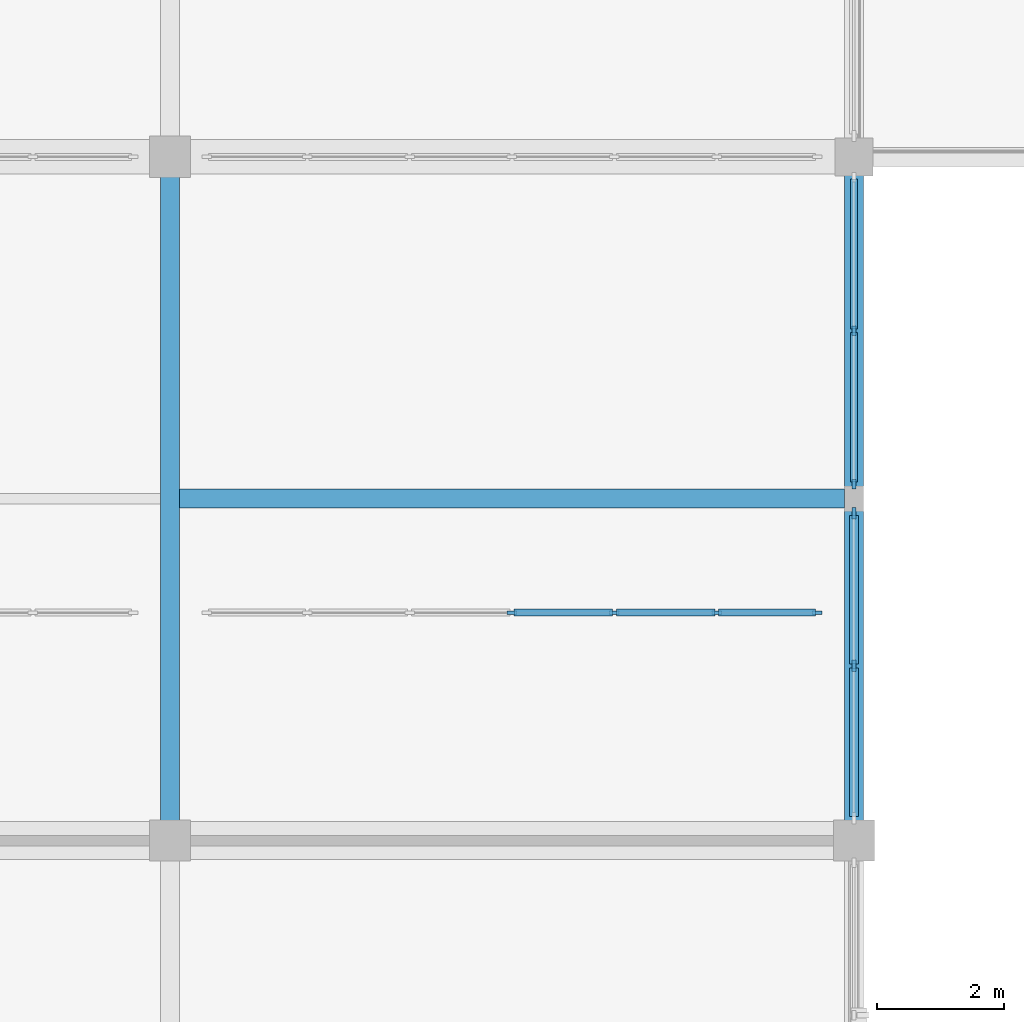
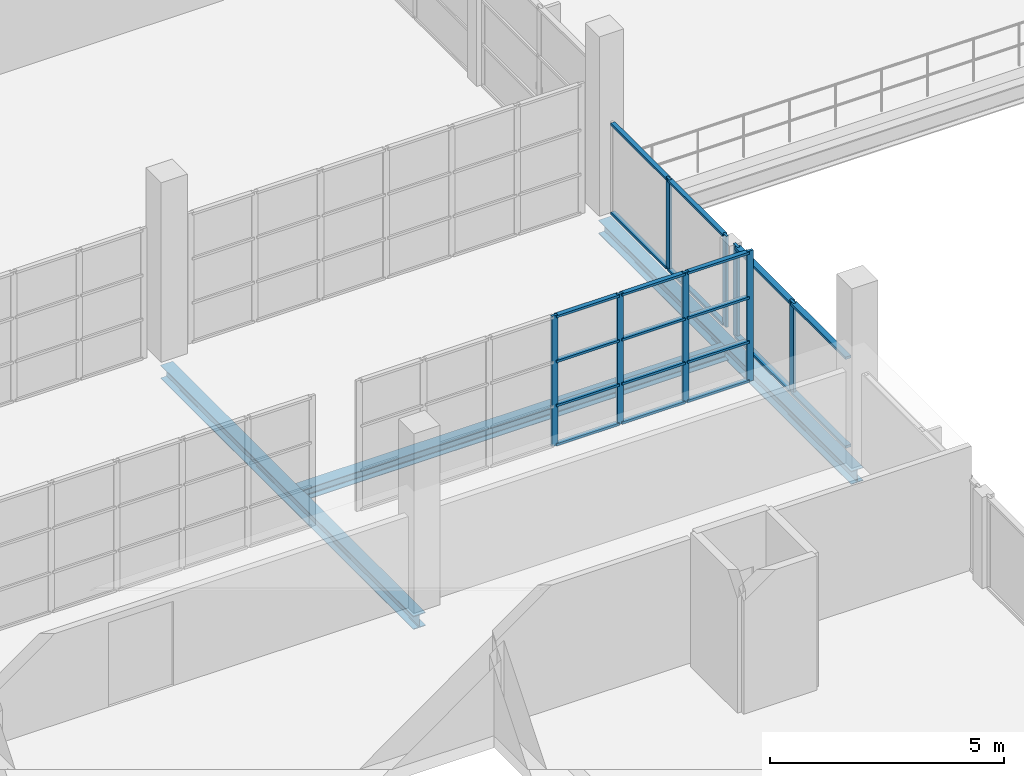
# One storey, part 71 of 142: 28 members, 3 beams, 3 elements without a shape of their own.
"""IFC4 building model written with IfcOpenShell, lengths in metres."""

from ifc_helpers import new_model, si_unit, direction, frame, origin, origin_2d, place, context, subcontext, project, spatial, rectangle, i_section, extrude, material, material_profile, profile_set, type_object, element, aggregate, save


model = new_model("IFC4")

# Units and contexts
model_context = context("Model", 3, precision=1e-05, world=origin(), true_north=direction((0.0, 1.0)))
body_context = subcontext(model_context, "Body", "Model", "MODEL_VIEW")
ifc_project = project(units=[si_unit("LENGTHUNIT", "METRE"), si_unit("AREAUNIT", "SQUARE_METRE"), si_unit("VOLUMEUNIT", "CUBIC_METRE"), si_unit("PLANEANGLEUNIT", "RADIAN"), si_unit("MASSUNIT", "GRAM", prefix="KILO")], contexts=[model_context])

# Site, building, storey
site_placement = place(None, origin())
site = spatial("IfcSite", under=ifc_project, at=site_placement, CompositionType="ELEMENT")
building_placement = place(site_placement, origin())
building = spatial("IfcBuilding", under=site, at=building_placement, Name="Zwinboog Wholesale Market", CompositionType="ELEMENT")
storey_placement = place(building_placement, frame((0.0, 0.0, 5.39990234375)))
storey = spatial("IfcBuildingStorey", under=building, at=storey_placement, Name="L01", CompositionType="ELEMENT", Elevation=5.39990234375)

# Beams
ifc_material_1 = material(Name="Steel S355", Category="steel")
ifc_material_profile_1 = material_profile(ifc_material_1, i_section(OverallWidth=0.300048828125, OverallDepth=0.35009765625, WebThickness=0.010009765625, FlangeThickness=0.017578125, FilletRadius=0.027099609375, at=origin_2d()), Name="HEA 360")
ifc_profile_set_1 = profile_set([ifc_material_profile_1], Name="Steel S355")
beam_type_1 = type_object("IfcBeamType", Name="BT-17", PredefinedType="BEAM", material=ifc_profile_set_1)
for number, where, z_axis, x_axis, name in (
    (1, (162.0, 86.39990234375, -0.5068359375), (0.0, 1.0, 0.0), (-1.0, 0.0, 0.0), "SB-04 (BMG-L01-1620-0864-0741)"),
    (2, (172.800048828125, 86.39990234375, -0.5068359375), (0.0, 1.0, 0.0), (-1.0, 0.0, 0.0), "SB-04 (BMG-L01-1728-0864-0753)"),
):
    element("IfcBeam", number, at=place(storey_placement, frame(where, z_axis=z_axis, x_axis=x_axis)), inside=storey, type_object=beam_type_1, Name=name, PredefinedType="BEAM", context=body_context, shape_type="SweptSolid", body=[
        extrude(i_section(OverallWidth=0.300048828125, OverallDepth=0.35009765625, WebThickness=0.010009765625, FlangeThickness=0.017578125, FilletRadius=0.027099609375, at=origin_2d()), origin(), (0.0, 0.0, 1.0), 10.800048828125),
    ])
ifc_material_profile_2 = material_profile(ifc_material_1, i_section(OverallWidth=0.300048828125, OverallDepth=0.2900390625, WebThickness=0.008544921875, FlangeThickness=0.013916015625, FilletRadius=0.027099609375, at=origin_2d()), Name="HEA 300")
ifc_profile_set_2 = profile_set([ifc_material_profile_2], Name="Steel S355")
beam_type_2 = type_object("IfcBeamType", Name="BT-18", PredefinedType="JOIST", material=ifc_profile_set_2)
beam_placement = place(storey_placement, frame((162.14990234375, 91.800048828125, -0.476806640625), z_axis=(1.0, 0.0, 0.0), x_axis=(0.0, 1.0, 0.0)))
element("IfcBeam", 3, at=beam_placement, inside=storey, type_object=beam_type_2, Name="SJ-01 (BMG-L01-1622-0918-0854)", PredefinedType="JOIST", context=body_context, shape_type="SweptSolid", body=[
    extrude(i_section(OverallWidth=0.300048828125, OverallDepth=0.2900390625, WebThickness=0.008544921875, FlangeThickness=0.013916015625, FilletRadius=0.027099609375, at=origin_2d()), origin(), (0.0, 0.0, 1.0), 10.5),
])

# Curtain wall, members
ifc_material_2 = material(Name="Aluminium thermally broken curtain wall", Category="aluminium")
curtain_wall_type_1 = type_object("IfcCurtainWallType", Name="CWT-STALL-18", PredefinedType="USERDEFINED", material=ifc_material_2)
curtain_wall_1_placement = place(storey_placement, origin())
curtain_wall_1 = element("IfcCurtainWall", 4, at=curtain_wall_1_placement, inside=storey, type_object=curtain_wall_type_1, Name="CW-01 (CW-L01-139)", ObjectType="STOREFRONT_GLAZING", PredefinedType="USERDEFINED")
ifc_material_3 = material(Name="Aluminium EN AW-6060", Category="aluminium")
ifc_material_profile_3 = material_profile(ifc_material_3, rectangle(XDim=0.06494140625, YDim=0.179931640625, at=origin_2d()), Name="AL 65x180")
ifc_profile_set_3 = profile_set([ifc_material_profile_3], Name="Aluminium EN AW-6060")
member_type_1 = type_object("IfcMemberType", Name="CWM-65x180", PredefinedType="MULLION", material=ifc_profile_set_3)
member_1_placement = place(storey_placement, frame((172.800048828125, 89.159912109375, 0.0), z_axis=(0.0, 0.0, 1.0), x_axis=(-1.0, 0.0, 0.0)))
member_1 = element("IfcMember", 5, at=member_1_placement, type_object=member_type_1, Name="CW-01 mullion 2", PredefinedType="MULLION", context=body_context, shape_type="SweptSolid", body=[
    extrude(rectangle(XDim=0.06494140625, YDim=0.179931640625, at=origin_2d()), origin(), (0.0, 0.0, 1.0), 2.380126953125),
])
member_2_placement = place(storey_placement, frame((172.800048828125, 91.5673828125, 0.0), z_axis=(0.0, 0.0, 1.0), x_axis=(-1.0, 0.0, 0.0)))
member_2 = element("IfcMember", 6, at=member_2_placement, type_object=member_type_1, Name="CW-01 mullion 3", PredefinedType="MULLION", context=body_context, shape_type="SweptSolid", body=[
    extrude(rectangle(XDim=0.06494140625, YDim=0.179931640625, at=origin_2d()), origin(), (0.0, 0.0, 1.0), 2.380126953125),
])

curtain_wall_type_2 = type_object("IfcCurtainWallType", Name="CWT-STALL-20", PredefinedType="USERDEFINED", material=ifc_material_2)
curtain_wall_2_placement = place(storey_placement, origin())
curtain_wall_2 = element("IfcCurtainWall", 7, at=curtain_wall_2_placement, inside=storey, type_object=curtain_wall_type_2, Name="CW-02 (CW-L01-140)", ObjectType="STOREFRONT_GLAZING", PredefinedType="USERDEFINED")
ifc_material_profile_4 = material_profile(ifc_material_3, rectangle(XDim=0.06005859375, YDim=0.14990234375, at=origin_2d()), Name="AL 60x150")
ifc_profile_set_4 = profile_set([ifc_material_profile_4], Name="Aluminium EN AW-6060")
member_type_2 = type_object("IfcMemberType", Name="CWM-60x150", PredefinedType="MULLION", material=ifc_profile_set_4)
member_3_placement = place(storey_placement, frame((172.800048828125, 92.030029296875, 0.0), z_axis=(0.0, 0.0, 1.0), x_axis=(-1.0, 0.0, 0.0)))
member_3 = element("IfcMember", 8, at=member_3_placement, type_object=member_type_2, Name="CW-02 mullion 1", PredefinedType="MULLION", context=body_context, shape_type="SweptSolid", body=[
    extrude(rectangle(XDim=0.06005859375, YDim=0.14990234375, at=origin_2d()), origin(), (0.0, 0.0, 1.0), 2.380126953125),
])
member_4_placement = place(storey_placement, frame((172.800048828125, 94.452392578125, 0.0), z_axis=(0.0, 0.0, 1.0), x_axis=(-1.0, 0.0, 0.0)))
member_4 = element("IfcMember", 9, at=member_4_placement, type_object=member_type_2, Name="CW-02 mullion 2", PredefinedType="MULLION", context=body_context, shape_type="SweptSolid", body=[
    extrude(rectangle(XDim=0.06005859375, YDim=0.14990234375, at=origin_2d()), origin(), (0.0, 0.0, 1.0), 2.380126953125),
])

# Member
ifc_material_profile_5 = material_profile(ifc_material_3, rectangle(XDim=0.139892578125, YDim=0.06494140625, at=origin_2d()), Name="AL 65x140")
ifc_profile_set_5 = profile_set([ifc_material_profile_5], Name="Aluminium EN AW-6060")
member_type_3 = type_object("IfcMemberType", Name="CWT-65x140", PredefinedType="USERDEFINED", material=ifc_profile_set_5)
member_5_placement = place(storey_placement, frame((172.800048828125, 86.784912109375, 0.03271484375), z_axis=(0.0, 1.0, 0.0), x_axis=(-1.0, 0.0, 0.0)))
member_5 = element("IfcMember", 10, at=member_5_placement, type_object=member_type_3, Name="CW-01 transom 1.1", ObjectType="TRANSOM", PredefinedType="USERDEFINED", context=body_context, shape_type="SweptSolid", body=[
    extrude(rectangle(XDim=0.139892578125, YDim=0.06494140625, at=origin_2d()), origin(), (0.0, 0.0, 1.0), 2.342529296875),
])

member_6_placement = place(storey_placement, frame((172.800048828125, 86.784912109375, 2.34765625), z_axis=(0.0, 1.0, 0.0), x_axis=(-1.0, 0.0, 0.0)))
member_6 = element("IfcMember", 11, at=member_6_placement, type_object=member_type_3, Name="CW-01 transom 1.2", ObjectType="TRANSOM", PredefinedType="USERDEFINED", context=body_context, shape_type="SweptSolid", body=[
    extrude(rectangle(XDim=0.139892578125, YDim=0.06494140625, at=origin_2d()), origin(), (0.0, 0.0, 1.0), 2.342529296875),
])

member_7_placement = place(storey_placement, frame((172.800048828125, 89.1923828125, 0.03271484375), z_axis=(0.0, 1.0, 0.0), x_axis=(-1.0, 0.0, 0.0)))
member_7 = element("IfcMember", 12, at=member_7_placement, type_object=member_type_3, Name="CW-01 transom 2.1", ObjectType="TRANSOM", PredefinedType="USERDEFINED", context=body_context, shape_type="SweptSolid", body=[
    extrude(rectangle(XDim=0.139892578125, YDim=0.06494140625, at=origin_2d()), origin(), (0.0, 0.0, 1.0), 2.342529296875),
])

member_8_placement = place(storey_placement, frame((172.800048828125, 89.1923828125, 2.34765625), z_axis=(0.0, 1.0, 0.0), x_axis=(-1.0, 0.0, 0.0)))
member_8 = element("IfcMember", 13, at=member_8_placement, type_object=member_type_3, Name="CW-01 transom 2.2", ObjectType="TRANSOM", PredefinedType="USERDEFINED", context=body_context, shape_type="SweptSolid", body=[
    extrude(rectangle(XDim=0.139892578125, YDim=0.06494140625, at=origin_2d()), origin(), (0.0, 0.0, 1.0), 2.342529296875),
])

aggregate(curtain_wall_1, [member_1, member_2, member_5, member_6, member_7, member_8])

ifc_material_profile_6 = material_profile(ifc_material_3, rectangle(XDim=0.110107421875, YDim=0.06005859375, at=origin_2d()), Name="AL 60x110")
ifc_profile_set_6 = profile_set([ifc_material_profile_6], Name="Aluminium EN AW-6060")
member_type_4 = type_object("IfcMemberType", Name="CWT-60x110", PredefinedType="USERDEFINED", material=ifc_profile_set_6)
member_9_placement = place(storey_placement, frame((172.800048828125, 92.06005859375, 0.030029296875), z_axis=(0.0, 1.0, 0.0), x_axis=(-1.0, 0.0, 0.0)))
member_9 = element("IfcMember", 14, at=member_9_placement, type_object=member_type_4, Name="CW-02 transom 1.1", ObjectType="TRANSOM", PredefinedType="USERDEFINED", context=body_context, shape_type="SweptSolid", body=[
    extrude(rectangle(XDim=0.110107421875, YDim=0.06005859375, at=origin_2d()), origin(), (0.0, 0.0, 1.0), 2.362548828125),
])

member_10_placement = place(storey_placement, frame((172.800048828125, 92.06005859375, 2.35009765625), z_axis=(0.0, 1.0, 0.0), x_axis=(-1.0, 0.0, 0.0)))
member_10 = element("IfcMember", 15, at=member_10_placement, type_object=member_type_4, Name="CW-02 transom 1.2", ObjectType="TRANSOM", PredefinedType="USERDEFINED", context=body_context, shape_type="SweptSolid", body=[
    extrude(rectangle(XDim=0.110107421875, YDim=0.06005859375, at=origin_2d()), origin(), (0.0, 0.0, 1.0), 2.362548828125),
])

member_11_placement = place(storey_placement, frame((172.800048828125, 94.482421875, 0.030029296875), z_axis=(0.0, 1.0, 0.0), x_axis=(-1.0, 0.0, 0.0)))
member_11 = element("IfcMember", 16, at=member_11_placement, type_object=member_type_4, Name="CW-02 transom 2.1", ObjectType="TRANSOM", PredefinedType="USERDEFINED", context=body_context, shape_type="SweptSolid", body=[
    extrude(rectangle(XDim=0.110107421875, YDim=0.06005859375, at=origin_2d()), origin(), (0.0, 0.0, 1.0), 2.362548828125),
])

member_12_placement = place(storey_placement, frame((172.800048828125, 94.482421875, 2.35009765625), z_axis=(0.0, 1.0, 0.0), x_axis=(-1.0, 0.0, 0.0)))
member_12 = element("IfcMember", 17, at=member_12_placement, type_object=member_type_4, Name="CW-02 transom 2.2", ObjectType="TRANSOM", PredefinedType="USERDEFINED", context=body_context, shape_type="SweptSolid", body=[
    extrude(rectangle(XDim=0.110107421875, YDim=0.06005859375, at=origin_2d()), origin(), (0.0, 0.0, 1.0), 2.362548828125),
])

aggregate(curtain_wall_2, [member_3, member_4, member_9, member_10, member_11, member_12])

# Curtain wall, members
curtain_wall_type_3 = type_object("IfcCurtainWallType", Name="CWT-INT-STALL", PredefinedType="USERDEFINED", material=ifc_material_2)
curtain_wall_3_placement = place(storey_placement, origin())
curtain_wall_3 = element("IfcCurtainWall", 18, at=curtain_wall_3_placement, inside=storey, type_object=curtain_wall_type_3, Name="CW-07 (CW-STL-244)", ObjectType="STOREFRONT_GLAZING", PredefinedType="USERDEFINED")
ifc_material_profile_7 = material_profile(ifc_material_3, rectangle(XDim=0.06005859375, YDim=0.14990234375, at=origin_2d()), Name="AL 60x150")
ifc_profile_set_7 = profile_set([ifc_material_profile_7], Name="Aluminium EN AW-6060")
member_type_5 = type_object("IfcMemberType", Name="CWM-INT-60x120", PredefinedType="MULLION", material=ifc_profile_set_7)
member_13_placement = place(storey_placement, frame((167.39990234375, 90.0, 0.0), z_axis=(0.0, 0.0, 1.0), x_axis=(0.0, 1.0, 0.0)))
member_13 = element("IfcMember", 19, at=member_13_placement, type_object=member_type_5, Name="CW-07 mullion 4", PredefinedType="MULLION", context=body_context, shape_type="SweptSolid", body=[
    extrude(rectangle(XDim=0.06005859375, YDim=0.14990234375, at=origin_2d()), origin(), (0.0, 0.0, 1.0), 3.400146484375),
])
member_14_placement = place(storey_placement, frame((169.0166015625, 90.0, 0.0), z_axis=(0.0, 0.0, 1.0), x_axis=(0.0, 1.0, 0.0)))
member_14 = element("IfcMember", 20, at=member_14_placement, type_object=member_type_5, Name="CW-07 mullion 5", PredefinedType="MULLION", context=body_context, shape_type="SweptSolid", body=[
    extrude(rectangle(XDim=0.06005859375, YDim=0.14990234375, at=origin_2d()), origin(), (0.0, 0.0, 1.0), 3.400146484375),
])
member_15_placement = place(storey_placement, frame((170.63330078125, 90.0, 0.0), z_axis=(0.0, 0.0, 1.0), x_axis=(0.0, 1.0, 0.0)))
member_15 = element("IfcMember", 21, at=member_15_placement, type_object=member_type_5, Name="CW-07 mullion 6", PredefinedType="MULLION", context=body_context, shape_type="SweptSolid", body=[
    extrude(rectangle(XDim=0.06005859375, YDim=0.14990234375, at=origin_2d()), origin(), (0.0, 0.0, 1.0), 3.400146484375),
])
member_16_placement = place(storey_placement, frame((172.219970703125, 90.0, 0.0), z_axis=(0.0, 0.0, 1.0), x_axis=(0.0, 1.0, 0.0)))
member_16 = element("IfcMember", 22, at=member_16_placement, type_object=member_type_5, Name="CW-07 mullion 7", PredefinedType="MULLION", context=body_context, shape_type="SweptSolid", body=[
    extrude(rectangle(XDim=0.06005859375, YDim=0.14990234375, at=origin_2d()), origin(), (0.0, 0.0, 1.0), 3.400146484375),
])
ifc_material_profile_8 = material_profile(ifc_material_3, rectangle(XDim=0.110107421875, YDim=0.06005859375, at=origin_2d()), Name="AL 60x110")
ifc_profile_set_8 = profile_set([ifc_material_profile_8], Name="Aluminium EN AW-6060")
member_type_6 = type_object("IfcMemberType", Name="CWT-INT-60x100", PredefinedType="USERDEFINED", material=ifc_profile_set_8)
member_17_placement = place(storey_placement, frame((167.429931640625, 90.0, 0.030029296875), z_axis=(1.0, 0.0, 0.0), x_axis=(0.0, 1.0, 0.0)))
member_17 = element("IfcMember", 23, at=member_17_placement, type_object=member_type_6, Name="CW-07 transom 4.1", ObjectType="TRANSOM", PredefinedType="USERDEFINED", context=body_context, shape_type="SweptSolid", body=[
    extrude(rectangle(XDim=0.110107421875, YDim=0.06005859375, at=origin_2d()), origin(), (0.0, 0.0, 1.0), 1.556640625),
])
member_18_placement = place(storey_placement, frame((167.429931640625, 90.0, 1.050048828125), z_axis=(1.0, 0.0, 0.0), x_axis=(0.0, 1.0, 0.0)))
member_18 = element("IfcMember", 24, at=member_18_placement, type_object=member_type_6, Name="CW-07 transom 4.2", ObjectType="TRANSOM", PredefinedType="USERDEFINED", context=body_context, shape_type="SweptSolid", body=[
    extrude(rectangle(XDim=0.110107421875, YDim=0.06005859375, at=origin_2d()), origin(), (0.0, 0.0, 1.0), 1.556640625),
])
member_19_placement = place(storey_placement, frame((167.429931640625, 90.0, 2.2001953125), z_axis=(1.0, 0.0, 0.0), x_axis=(0.0, 1.0, 0.0)))
member_19 = element("IfcMember", 25, at=member_19_placement, type_object=member_type_6, Name="CW-07 transom 4.3", ObjectType="TRANSOM", PredefinedType="USERDEFINED", context=body_context, shape_type="SweptSolid", body=[
    extrude(rectangle(XDim=0.110107421875, YDim=0.06005859375, at=origin_2d()), origin(), (0.0, 0.0, 1.0), 1.556640625),
])
member_20_placement = place(storey_placement, frame((167.429931640625, 90.0, 3.3701171875), z_axis=(1.0, 0.0, 0.0), x_axis=(0.0, 1.0, 0.0)))
member_20 = element("IfcMember", 26, at=member_20_placement, type_object=member_type_6, Name="CW-07 transom 4.4", ObjectType="TRANSOM", PredefinedType="USERDEFINED", context=body_context, shape_type="SweptSolid", body=[
    extrude(rectangle(XDim=0.110107421875, YDim=0.06005859375, at=origin_2d()), origin(), (0.0, 0.0, 1.0), 1.556640625),
])
member_21_placement = place(storey_placement, frame((169.046630859375, 90.0, 0.030029296875), z_axis=(1.0, 0.0, 0.0), x_axis=(0.0, 1.0, 0.0)))
member_21 = element("IfcMember", 27, at=member_21_placement, type_object=member_type_6, Name="CW-07 transom 5.1", ObjectType="TRANSOM", PredefinedType="USERDEFINED", context=body_context, shape_type="SweptSolid", body=[
    extrude(rectangle(XDim=0.110107421875, YDim=0.06005859375, at=origin_2d()), origin(), (0.0, 0.0, 1.0), 1.556640625),
])
member_22_placement = place(storey_placement, frame((169.046630859375, 90.0, 1.050048828125), z_axis=(1.0, 0.0, 0.0), x_axis=(0.0, 1.0, 0.0)))
member_22 = element("IfcMember", 28, at=member_22_placement, type_object=member_type_6, Name="CW-07 transom 5.2", ObjectType="TRANSOM", PredefinedType="USERDEFINED", context=body_context, shape_type="SweptSolid", body=[
    extrude(rectangle(XDim=0.110107421875, YDim=0.06005859375, at=origin_2d()), origin(), (0.0, 0.0, 1.0), 1.556640625),
])
member_23_placement = place(storey_placement, frame((169.046630859375, 90.0, 2.2001953125), z_axis=(1.0, 0.0, 0.0), x_axis=(0.0, 1.0, 0.0)))
member_23 = element("IfcMember", 29, at=member_23_placement, type_object=member_type_6, Name="CW-07 transom 5.3", ObjectType="TRANSOM", PredefinedType="USERDEFINED", context=body_context, shape_type="SweptSolid", body=[
    extrude(rectangle(XDim=0.110107421875, YDim=0.06005859375, at=origin_2d()), origin(), (0.0, 0.0, 1.0), 1.556640625),
])
member_24_placement = place(storey_placement, frame((169.046630859375, 90.0, 3.3701171875), z_axis=(1.0, 0.0, 0.0), x_axis=(0.0, 1.0, 0.0)))
member_24 = element("IfcMember", 30, at=member_24_placement, type_object=member_type_6, Name="CW-07 transom 5.4", ObjectType="TRANSOM", PredefinedType="USERDEFINED", context=body_context, shape_type="SweptSolid", body=[
    extrude(rectangle(XDim=0.110107421875, YDim=0.06005859375, at=origin_2d()), origin(), (0.0, 0.0, 1.0), 1.556640625),
])
member_25_placement = place(storey_placement, frame((170.663330078125, 90.0, 0.030029296875), z_axis=(1.0, 0.0, 0.0), x_axis=(0.0, 1.0, 0.0)))
member_25 = element("IfcMember", 31, at=member_25_placement, type_object=member_type_6, Name="CW-07 transom 6.1", ObjectType="TRANSOM", PredefinedType="USERDEFINED", context=body_context, shape_type="SweptSolid", body=[
    extrude(rectangle(XDim=0.110107421875, YDim=0.06005859375, at=origin_2d()), origin(), (0.0, 0.0, 1.0), 1.526611328125),
])
member_26_placement = place(storey_placement, frame((170.663330078125, 90.0, 1.050048828125), z_axis=(1.0, 0.0, 0.0), x_axis=(0.0, 1.0, 0.0)))
member_26 = element("IfcMember", 32, at=member_26_placement, type_object=member_type_6, Name="CW-07 transom 6.2", ObjectType="TRANSOM", PredefinedType="USERDEFINED", context=body_context, shape_type="SweptSolid", body=[
    extrude(rectangle(XDim=0.110107421875, YDim=0.06005859375, at=origin_2d()), origin(), (0.0, 0.0, 1.0), 1.526611328125),
])
member_27_placement = place(storey_placement, frame((170.663330078125, 90.0, 2.2001953125), z_axis=(1.0, 0.0, 0.0), x_axis=(0.0, 1.0, 0.0)))
member_27 = element("IfcMember", 33, at=member_27_placement, type_object=member_type_6, Name="CW-07 transom 6.3", ObjectType="TRANSOM", PredefinedType="USERDEFINED", context=body_context, shape_type="SweptSolid", body=[
    extrude(rectangle(XDim=0.110107421875, YDim=0.06005859375, at=origin_2d()), origin(), (0.0, 0.0, 1.0), 1.526611328125),
])
member_28_placement = place(storey_placement, frame((170.663330078125, 90.0, 3.3701171875), z_axis=(1.0, 0.0, 0.0), x_axis=(0.0, 1.0, 0.0)))
member_28 = element("IfcMember", 34, at=member_28_placement, type_object=member_type_6, Name="CW-07 transom 6.4", ObjectType="TRANSOM", PredefinedType="USERDEFINED", context=body_context, shape_type="SweptSolid", body=[
    extrude(rectangle(XDim=0.110107421875, YDim=0.06005859375, at=origin_2d()), origin(), (0.0, 0.0, 1.0), 1.526611328125),
])
aggregate(curtain_wall_3, [member_13, member_14, member_15, member_16, member_17, member_18, member_19, member_20, member_21, member_22, member_23, member_24, member_25, member_26, member_27, member_28])

save(model, "model.ifc")
